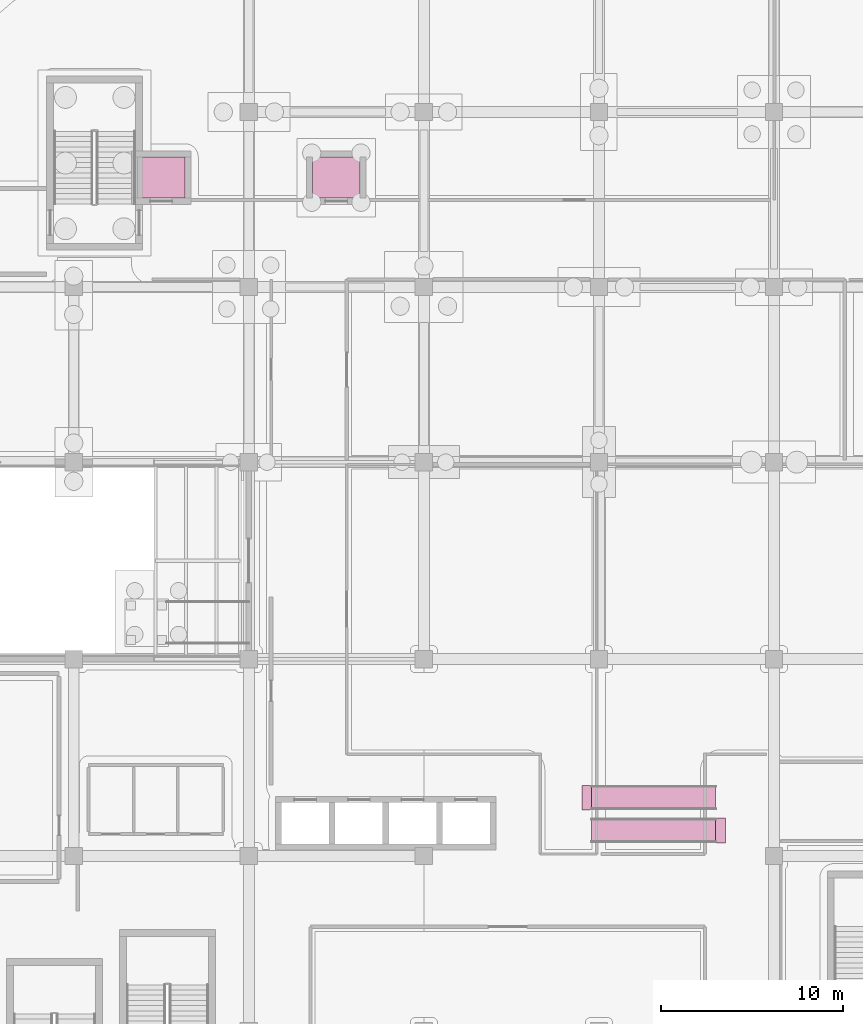
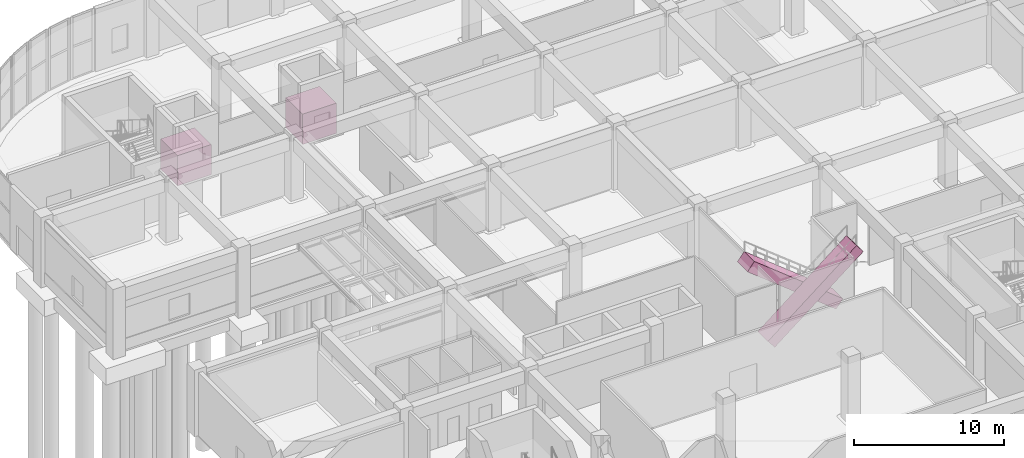
# One storey, part 74 of 74: 4 transport elements.
"""IFC4 building model written with IfcOpenShell, lengths in metres."""

import ifcopenshell
import ifcopenshell.guid

model = None  # the IFC model being written
_history = None  # IfcOwnerHistory: only IFC2X3 demands one
_inside = {}  # id of a spatial element -> (the spatial element, [elements in it])
_under = {}  # id of a project, library or spatial element -> (it, [spatial elements below it])
_declared = {}  # id of a project -> (the project, [libraries it declares])
_typed = {}  # id of a type object -> (the type object, [elements of that type])
_made_of = {}  # id of a material, layer set ... -> (it, [elements and type objects made of it])


def new_model(schema):
    """Start an empty IFC model of exactly this schema.

    Asked for "IFC4X3", IfcOpenShell would pick the latest addendum, in which some entities
    have other attributes; the version numbers below select the first issue.
    IFC2X3 requires an IfcOwnerHistory on every rooted entity: one is made here for all.
    """
    global model, _history
    if schema == "IFC4X3":
        model = ifcopenshell.file(schema_version=(4, 3, 0, 0))
    else:
        model = ifcopenshell.file(schema=schema)
    _inside.clear()
    _under.clear()
    _declared.clear()
    _typed.clear()
    _made_of.clear()
    _history = None
    if model.schema == "IFC2X3":
        org = make("IfcOrganization", Name="unknown")
        user = make(
            "IfcPersonAndOrganization",
            ThePerson=make("IfcPerson", FamilyName="unknown"),
            TheOrganization=org,
        )
        app = make(
            "IfcApplication",
            ApplicationDeveloper=org,
            Version="unknown",
            ApplicationFullName="unknown",
            ApplicationIdentifier="unknown",
        )
        _history = make(
            "IfcOwnerHistory",
            OwningUser=user,
            OwningApplication=app,
            ChangeAction="ADDED",
            CreationDate=0,
        )
    return model


def make(cls, **values):
    """One entity of the class cls with the attributes given. An attribute that is None is left unset."""
    return model.create_entity(
        cls, **{name: value for name, value in values.items() if value is not None}
    )


def rooted(cls, **values):
    """An entity with a GlobalId (a new one), such as an element, a storey or a relation."""
    return make(cls, GlobalId=ifcopenshell.guid.new(), OwnerHistory=_history, **values)


def si_unit(unit_type, name, prefix=None):
    """IfcSIUnit, for example si_unit("LENGTHUNIT", "METRE", prefix="MILLI")."""
    return make("IfcSIUnit", UnitType=unit_type, Prefix=prefix, Name=name)


def assignment(units):
    """IfcUnitAssignment: the units of a project."""
    return None if units is None else make("IfcUnitAssignment", Units=units)


def point(xyz):
    """IfcCartesianPoint."""
    return None if xyz is None else make("IfcCartesianPoint", Coordinates=xyz)


def direction(xyz):
    """IfcDirection."""
    return None if xyz is None else make("IfcDirection", DirectionRatios=xyz)


def frame(location, z_axis=None, x_axis=None):
    """IfcAxis2Placement3D, a coordinate frame: its origin and axes. An axis left out is left unset."""
    return make(
        "IfcAxis2Placement3D",
        Location=point(location),
        Axis=direction(z_axis),
        RefDirection=direction(x_axis),
    )


def frame_2d(location, x_axis=None):
    """IfcAxis2Placement2D, a coordinate frame in the plane: its origin and x axis."""
    return make(
        "IfcAxis2Placement2D", Location=point(location), RefDirection=direction(x_axis)
    )


def origin():
    """The frame at (0, 0, 0) with its axes left unset."""
    return frame((0.0, 0.0, 0.0))


def origin_2d():
    """The frame at (0, 0) in the plane with its x axis left unset."""
    return frame_2d((0.0, 0.0))


def place(relative_to, where):
    """IfcLocalPlacement: puts the frame where relative to a parent placement (None: the world)."""
    return make(
        "IfcLocalPlacement", PlacementRelTo=relative_to, RelativePlacement=where
    )


def context(
    kind, dimensions, precision=None, world=None, true_north=None, identifier=None
):
    """IfcGeometricRepresentationContext, for example the 3D "Model" context."""
    return make(
        "IfcGeometricRepresentationContext",
        ContextIdentifier=identifier,
        ContextType=kind,
        CoordinateSpaceDimension=dimensions,
        Precision=precision,
        WorldCoordinateSystem=world,
        TrueNorth=true_north,
    )


def subcontext(parent, identifier, kind, view, scale=None):
    """IfcGeometricRepresentationSubContext, for example "Body" below "Model"."""
    return make(
        "IfcGeometricRepresentationSubContext",
        ContextIdentifier=identifier,
        ContextType=kind,
        ParentContext=parent,
        TargetScale=scale,
        TargetView=view,
    )


def project(units=None, contexts=None):
    """IfcProject with its units and contexts."""
    return rooted(
        "IfcProject",
        Name="project",
        RepresentationContexts=contexts,
        UnitsInContext=assignment(units),
    )


def spatial(cls, under=None, at=None, **own):
    """A site, building, storey or space (cls), placed at a placement, below another one or the project."""
    s = rooted(cls, ObjectPlacement=at, **own)
    if under is not None:
        _under.setdefault(under.id(), (under, []))[1].append(s)
    return s


def polyline(points):
    """IfcPolyline through the points."""
    return make("IfcPolyline", Points=[point(p) for p in points])


def profile(cls, at=None, kind="AREA", **sizes):
    """A parametric profile (cls). Its sizes go by their IFC names, for example OverallWidth=200.0."""
    return make(cls, ProfileType=kind, Position=at, **sizes)


def rectangle(**sizes):
    """IfcRectangleProfileDef."""
    return profile("IfcRectangleProfileDef", **sizes)


def outline(outer, holes=None, kind="AREA"):
    """IfcArbitraryClosedProfileDef: a profile drawn as a closed curve; with holes, ...WithVoids."""
    if holes is None:
        return make("IfcArbitraryClosedProfileDef", ProfileType=kind, OuterCurve=outer)
    return make(
        "IfcArbitraryProfileDefWithVoids",
        ProfileType=kind,
        OuterCurve=outer,
        InnerCurves=holes,
    )


def extrude(swept, where, along, depth):
    """IfcExtrudedAreaSolid: the profile swept, set in the frame where, extruded along a direction by depth."""
    return make(
        "IfcExtrudedAreaSolid",
        SweptArea=swept,
        Position=where,
        ExtrudedDirection=direction(along),
        Depth=depth,
    )


def shape(context_of_items, identifier, shape_type, items):
    """IfcShapeRepresentation: the items that make up one representation, for example the "Body"."""
    return make(
        "IfcShapeRepresentation",
        ContextOfItems=context_of_items,
        RepresentationIdentifier=identifier,
        RepresentationType=shape_type,
        Items=items,
    )


def material(Name=None, Category=None):
    """IfcMaterial."""
    return make("IfcMaterial", Name=Name, Category=Category)


def layer(
    of_material, thickness, ventilated=None, Name=None, Category=None, Priority=None
):
    """IfcMaterialLayer: one layer of a wall or slab, of a material (None: an air gap)."""
    return make(
        "IfcMaterialLayer",
        Material=of_material,
        LayerThickness=thickness,
        IsVentilated=ventilated,
        Name=Name,
        Category=Category,
        Priority=Priority,
    )


def layer_set(layers, Name=None):
    """IfcMaterialLayerSet."""
    return make("IfcMaterialLayerSet", MaterialLayers=layers, LayerSetName=Name)


def made_of(thing, what):
    """Note that an element or type object is made of a material, layer set ...; save() writes the relation."""
    if what is not None:
        _made_of.setdefault(what.id(), (what, []))[1].append(thing)
    return thing


def type_object(cls, material=None, **own):
    """A type object (cls), such as IfcWallType, which elements share."""
    return made_of(rooted(cls, **own), material)


def element(
    cls,
    number,
    at=None,
    inside=None,
    cuts=None,
    type_object=None,
    material=None,
    context=None,
    identifier="Body",
    shape_type=None,
    held_by="IfcProductDefinitionShape",
    body=None,
    shapes=None,
    **own,
):
    """One element of the class cls, such as IfcWall. Its Tag is "e" and its number.

    at: its placement. inside: the storey or other place that contains it. cuts: it is an
    opening in that element (IfcRelVoidsElement). A single representation is given by context,
    identifier, shape_type and body (its items); several are given by shapes. held_by: the class
    of the entity that holds the representations. save() writes the other relations.
    """
    e = rooted(cls, Tag="e%d" % number, ObjectPlacement=at, **own)
    if body is not None:
        shapes = [shape(context, identifier, shape_type, body)]
    if shapes is not None:
        e.Representation = make(held_by, Representations=shapes)
    if inside is not None:
        _inside.setdefault(inside.id(), (inside, []))[1].append(e)
    if cuts is not None:
        rooted(
            "IfcRelVoidsElement", RelatingBuildingElement=cuts, RelatedOpeningElement=e
        )
    if type_object is not None:
        _typed.setdefault(type_object.id(), (type_object, []))[1].append(e)
    return made_of(e, material)


def aggregate(whole, parts):
    """IfcRelAggregates: a whole, such as a stair, and the parts it consists of."""
    return rooted("IfcRelAggregates", RelatingObject=whole, RelatedObjects=parts)


def save(model, path):
    """Write the relations noted so far, then the file.

    IfcRelAggregates (storeys below a building ...), IfcRelContainedInSpatialStructure (elements
    in a storey), IfcRelDefinesByType, IfcRelAssociatesMaterial and IfcRelDeclares: one each for
    every whole, place, type object, material and project.
    """
    for whole, parts in _under.values():
        aggregate(whole, parts)
    for where, things in _inside.values():
        rooted(
            "IfcRelContainedInSpatialStructure",
            RelatedElements=things,
            RelatingStructure=where,
        )
    for kind, things in _typed.values():
        rooted("IfcRelDefinesByType", RelatedObjects=things, RelatingType=kind)
    for what, things in _made_of.values():
        rooted("IfcRelAssociatesMaterial", RelatedObjects=things, RelatingMaterial=what)
    for by, libraries in _declared.values():
        rooted("IfcRelDeclares", RelatingContext=by, RelatedDefinitions=libraries)
    model.write(path)


model = new_model("IFC4")

# Units and contexts
model_context = context("Model", 3, precision=1e-05, world=origin(), true_north=direction((0.0, 1.0)))
body_context = subcontext(model_context, "Body", "Model", "MODEL_VIEW")
ifc_project = project(units=[si_unit("LENGTHUNIT", "METRE"), si_unit("AREAUNIT", "SQUARE_METRE"), si_unit("VOLUMEUNIT", "CUBIC_METRE"), si_unit("PLANEANGLEUNIT", "RADIAN"), si_unit("MASSUNIT", "GRAM", prefix="KILO")], contexts=[model_context])

# Site, building, storey
site_placement = place(None, origin())
site = spatial("IfcSite", under=ifc_project, at=site_placement, CompositionType="ELEMENT")
building_placement = place(site_placement, origin())
building = spatial("IfcBuilding", under=site, at=building_placement, Name="Cendralis Terraced Arcade", CompositionType="ELEMENT")
storey_placement = place(building_placement, origin())
storey = spatial("IfcBuildingStorey", under=building, at=storey_placement, Name="L00", CompositionType="ELEMENT", Elevation=0.0)

# Transport elements
ifc_material_1 = material(Name="Brushed stainless steel and laminated glass escalator", Category="steel")
ifc_layer = layer(ifc_material_1, 0.949951171875, Name="ESC-ATR-1000")
ifc_layer_set = layer_set([ifc_layer], Name="Brushed stainless steel and laminated glass escalator")
transport_element_type_1 = type_object("IfcTransportElementType", Name="ESC-ATR-1000", PredefinedType="ESCALATOR", material=ifc_layer_set)
transport_element_1_placement = place(storey_placement, frame((38.0, 39.125, 0.10009765625), z_axis=(-0.621872508001, 0.0, 0.783118499202), x_axis=(0.783118499202, 0.0, 0.621872508001)))
element("IfcTransportElement", 1, at=transport_element_1_placement, inside=storey, type_object=transport_element_type_1, Name="Atrium Retail Escalator ESC-01 (L00 to L01)", PredefinedType="ESCALATOR", context=body_context, shape_type="SweptSolid", body=[
    extrude(outline(polyline([(0.0, 0.0), (8.683294846250526, 0.0), (8.683294846250526, 1.3500976562500002), (0.0, 1.3500976562500002), (0.0, 0.0)])), origin(), (0.0, 0.0, -1.0), 0.85009765625),
])
transport_element_2_placement = place(storey_placement, frame((44.800048828125, 40.925048828125, 0.10009765625), z_axis=(0.621872508001, 0.0, 0.783118499202), x_axis=(-0.783118499202, 0.0, 0.621872508001)))
element("IfcTransportElement", 2, at=transport_element_2_placement, inside=storey, type_object=transport_element_type_1, Name="Atrium Retail Escalator ESC-02 (L00 to L01)", PredefinedType="ESCALATOR", context=body_context, shape_type="SweptSolid", body=[
    extrude(outline(polyline([(0.0, 0.0), (8.683294846250526, 0.0), (8.683294846250526, -1.349853515625), (0.0, -1.349853515625), (0.0, 0.0)])), origin(), (0.0, 0.0, -1.0), 0.85009765625),
])
ifc_material_2 = material(Name="Brushed stainless steel passenger lift car", Category="steel")
transport_element_type_2 = type_object("IfcTransportElementType", Name="LFT-PAX-2100x1650", PredefinedType="ELEVATOR", material=ifc_material_2)
for number, where, z_axis, x_axis, name in (
    (3, (14.39990234375, 75.60009765625, 0.0), (0.0, 0.0, 1.0), (1.0, 0.0, 0.0), "Passenger Lift PL-05"),
    (4, (24.0, 75.60009765625, 0.0), (0.0, 0.0, 1.0), (1.0, 0.0, 0.0), "Passenger Lift PL-06"),
):
    element("IfcTransportElement", number, at=place(storey_placement, frame(where, z_axis=z_axis, x_axis=x_axis)), inside=storey, type_object=transport_element_type_2, Name=name, PredefinedType="ELEVATOR", context=body_context, shape_type="SweptSolid", body=[
        extrude(rectangle(XDim=2.60009765625, YDim=2.25, at=origin_2d()), origin(), (0.0, 0.0, 1.0), 2.449951171875),
    ])

save(model, "model.ifc")
